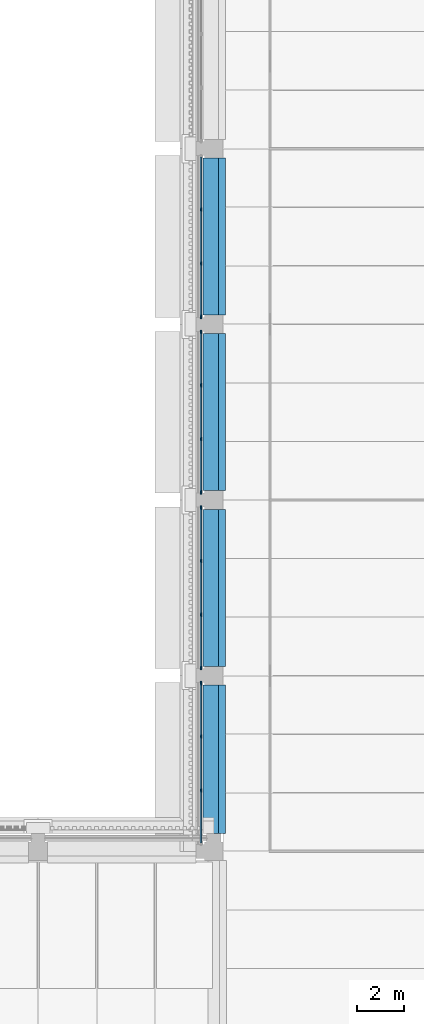
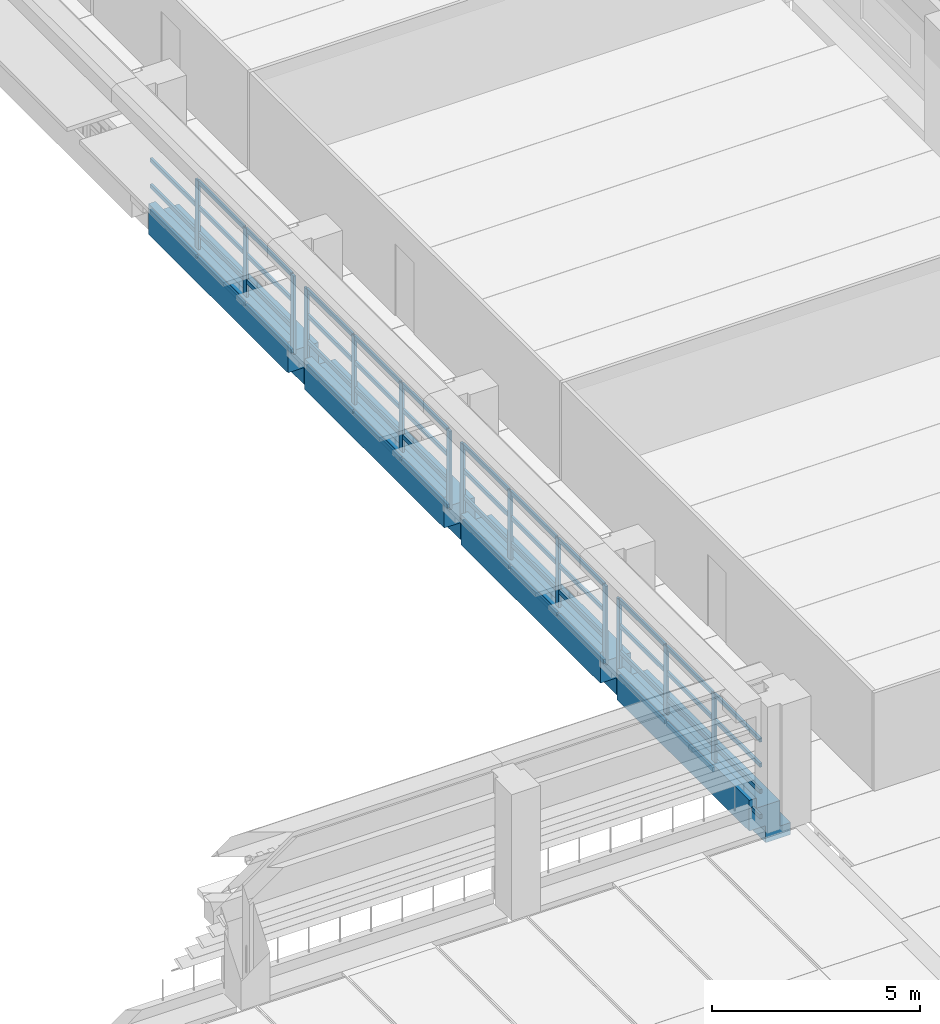
# One storey, part 18 of 71: 61 members, 4 beams, 4 elements without a shape of their own.
"""IFC4 building model written with IfcOpenShell, lengths in metres."""

from ifc_helpers import new_model, si_unit, direction, frame, origin, origin_2d, place, context, subcontext, project, spatial, polyline, rectangle, outline, extrude, material, layer, layer_set, material_profile, profile_set, type_object, element, aggregate, save


model = new_model("IFC4")

# Units and contexts
model_context = context("Model", 3, precision=1e-05, world=origin(), true_north=direction((0.0, 1.0)))
body_context = subcontext(model_context, "Body", "Model", "MODEL_VIEW")
ifc_project = project(units=[si_unit("LENGTHUNIT", "METRE"), si_unit("AREAUNIT", "SQUARE_METRE"), si_unit("VOLUMEUNIT", "CUBIC_METRE"), si_unit("PLANEANGLEUNIT", "RADIAN"), si_unit("MASSUNIT", "GRAM", prefix="KILO")], contexts=[model_context])

# Site, building, storey
site_placement = place(None, origin())
site = spatial("IfcSite", under=ifc_project, at=site_placement, CompositionType="ELEMENT")
building_placement = place(site_placement, origin())
building = spatial("IfcBuilding", under=site, at=building_placement, Name="Cour d'Honneur Mobility Palace", CompositionType="ELEMENT")
storey_placement = place(building_placement, frame((0.0, 0.0, 15.60009765625)))
storey = spatial("IfcBuildingStorey", under=building, at=storey_placement, Name="L04", CompositionType="ELEMENT", Elevation=15.60009765625)

# Curtain wall, members
ifc_material_1 = material(Name="Aluminium and glass", Category="aluminium")
ifc_layer = layer(ifc_material_1, 0.10009765625)
ifc_layer_set = layer_set([ifc_layer], Name="Aluminium and glass")
curtain_wall_type = type_object("IfcCurtainWallType", Name="Curtain wall run", PredefinedType="NOTDEFINED", material=ifc_layer_set)
curtain_wall_1_placement = place(storey_placement, origin())
curtain_wall_1 = element("IfcCurtainWall", 1, at=curtain_wall_1_placement, inside=storey, type_object=curtain_wall_type, Name="Curtain wall CW-68", PredefinedType="NOTDEFINED")
ifc_material_2 = material(Name="Aluminium", Category="aluminium")
ifc_material_profile_1 = material_profile(ifc_material_2, rectangle(XDim=0.06005859375, YDim=0.159912109375, at=origin_2d()), Name="Curtain wall mullion")
ifc_profile_set_1 = profile_set([ifc_material_profile_1], Name="Aluminium")
member_type_1 = type_object("IfcMemberType", Name="Curtain wall mullion", PredefinedType="MULLION", material=ifc_profile_set_1)
member_1_placement = place(storey_placement, frame((144.35009765625, 89.800048828125, 0.0), z_axis=(0.0, 0.0, 1.0), x_axis=(1.0, 0.0, 0.0)))
member_1 = element("IfcMember", 2, at=member_1_placement, type_object=member_type_1, Name="CW-68 mullion 2", PredefinedType="MULLION", context=body_context, shape_type="SweptSolid", body=[
    extrude(rectangle(XDim=0.06005859375, YDim=0.159912109375, at=origin_2d()), origin(), (0.0, 0.0, 1.0), 2.2998046875),
])
member_2_placement = place(storey_placement, frame((144.35009765625, 87.5, 0.0), z_axis=(0.0, 0.0, 1.0), x_axis=(1.0, 0.0, 0.0)))
member_2 = element("IfcMember", 3, at=member_2_placement, type_object=member_type_1, Name="CW-68 mullion 3", PredefinedType="MULLION", context=body_context, shape_type="SweptSolid", body=[
    extrude(rectangle(XDim=0.06005859375, YDim=0.159912109375, at=origin_2d()), origin(), (0.0, 0.0, 1.0), 2.2998046875),
])
member_3_placement = place(storey_placement, frame((144.35009765625, 85.22998046875, 0.0), z_axis=(0.0, 0.0, 1.0), x_axis=(1.0, 0.0, 0.0)))
member_3 = element("IfcMember", 4, at=member_3_placement, type_object=member_type_1, Name="CW-68 mullion 4", PredefinedType="MULLION", context=body_context, shape_type="SweptSolid", body=[
    extrude(rectangle(XDim=0.06005859375, YDim=0.159912109375, at=origin_2d()), origin(), (0.0, 0.0, 1.0), 2.2998046875),
])

curtain_wall_2_placement = place(storey_placement, origin())
curtain_wall_2 = element("IfcCurtainWall", 5, at=curtain_wall_2_placement, inside=storey, type_object=curtain_wall_type, Name="Curtain wall CW-69", PredefinedType="NOTDEFINED")
member_4_placement = place(storey_placement, frame((144.35009765625, 84.570068359375, 0.0), z_axis=(0.0, 0.0, 1.0), x_axis=(1.0, 0.0, 0.0)))
member_4 = element("IfcMember", 6, at=member_4_placement, type_object=member_type_1, Name="CW-69 mullion 1", PredefinedType="MULLION", context=body_context, shape_type="SweptSolid", body=[
    extrude(rectangle(XDim=0.06005859375, YDim=0.159912109375, at=origin_2d()), origin(), (0.0, 0.0, 1.0), 2.2998046875),
])
member_5_placement = place(storey_placement, frame((144.35009765625, 82.300048828125, 0.0), z_axis=(0.0, 0.0, 1.0), x_axis=(1.0, 0.0, 0.0)))
member_5 = element("IfcMember", 7, at=member_5_placement, type_object=member_type_1, Name="CW-69 mullion 2", PredefinedType="MULLION", context=body_context, shape_type="SweptSolid", body=[
    extrude(rectangle(XDim=0.06005859375, YDim=0.159912109375, at=origin_2d()), origin(), (0.0, 0.0, 1.0), 2.2998046875),
])
member_6_placement = place(storey_placement, frame((144.35009765625, 80.0, 0.0), z_axis=(0.0, 0.0, 1.0), x_axis=(1.0, 0.0, 0.0)))
member_6 = element("IfcMember", 8, at=member_6_placement, type_object=member_type_1, Name="CW-69 mullion 3", PredefinedType="MULLION", context=body_context, shape_type="SweptSolid", body=[
    extrude(rectangle(XDim=0.06005859375, YDim=0.159912109375, at=origin_2d()), origin(), (0.0, 0.0, 1.0), 2.2998046875),
])
member_7_placement = place(storey_placement, frame((144.35009765625, 77.72998046875, 0.0), z_axis=(0.0, 0.0, 1.0), x_axis=(1.0, 0.0, 0.0)))
member_7 = element("IfcMember", 9, at=member_7_placement, type_object=member_type_1, Name="CW-69 mullion 4", PredefinedType="MULLION", context=body_context, shape_type="SweptSolid", body=[
    extrude(rectangle(XDim=0.06005859375, YDim=0.159912109375, at=origin_2d()), origin(), (0.0, 0.0, 1.0), 2.2998046875),
])

curtain_wall_3_placement = place(storey_placement, origin())
curtain_wall_3 = element("IfcCurtainWall", 10, at=curtain_wall_3_placement, inside=storey, type_object=curtain_wall_type, Name="Curtain wall CW-70", PredefinedType="NOTDEFINED")
member_8_placement = place(storey_placement, frame((144.35009765625, 77.070068359375, 0.0), z_axis=(0.0, 0.0, 1.0), x_axis=(1.0, 0.0, 0.0)))
member_8 = element("IfcMember", 11, at=member_8_placement, type_object=member_type_1, Name="CW-70 mullion 1", PredefinedType="MULLION", context=body_context, shape_type="SweptSolid", body=[
    extrude(rectangle(XDim=0.06005859375, YDim=0.159912109375, at=origin_2d()), origin(), (0.0, 0.0, 1.0), 2.2998046875),
])
member_9_placement = place(storey_placement, frame((144.35009765625, 74.800048828125, 0.0), z_axis=(0.0, 0.0, 1.0), x_axis=(1.0, 0.0, 0.0)))
member_9 = element("IfcMember", 12, at=member_9_placement, type_object=member_type_1, Name="CW-70 mullion 2", PredefinedType="MULLION", context=body_context, shape_type="SweptSolid", body=[
    extrude(rectangle(XDim=0.06005859375, YDim=0.159912109375, at=origin_2d()), origin(), (0.0, 0.0, 1.0), 2.2998046875),
])
member_10_placement = place(storey_placement, frame((144.35009765625, 72.5, 0.0), z_axis=(0.0, 0.0, 1.0), x_axis=(1.0, 0.0, 0.0)))
member_10 = element("IfcMember", 13, at=member_10_placement, type_object=member_type_1, Name="CW-70 mullion 3", PredefinedType="MULLION", context=body_context, shape_type="SweptSolid", body=[
    extrude(rectangle(XDim=0.06005859375, YDim=0.159912109375, at=origin_2d()), origin(), (0.0, 0.0, 1.0), 2.2998046875),
])
member_11_placement = place(storey_placement, frame((144.35009765625, 70.22998046875, 0.0), z_axis=(0.0, 0.0, 1.0), x_axis=(1.0, 0.0, 0.0)))
member_11 = element("IfcMember", 14, at=member_11_placement, type_object=member_type_1, Name="CW-70 mullion 4", PredefinedType="MULLION", context=body_context, shape_type="SweptSolid", body=[
    extrude(rectangle(XDim=0.06005859375, YDim=0.159912109375, at=origin_2d()), origin(), (0.0, 0.0, 1.0), 2.2998046875),
])

curtain_wall_4_placement = place(storey_placement, origin())
curtain_wall_4 = element("IfcCurtainWall", 15, at=curtain_wall_4_placement, inside=storey, type_object=curtain_wall_type, Name="Curtain wall CW-71", PredefinedType="NOTDEFINED")
member_12_placement = place(storey_placement, frame((144.35009765625, 69.570068359375, 0.0), z_axis=(0.0, 0.0, 1.0), x_axis=(1.0, 0.0, 0.0)))
member_12 = element("IfcMember", 16, at=member_12_placement, type_object=member_type_1, Name="CW-71 mullion 1", PredefinedType="MULLION", context=body_context, shape_type="SweptSolid", body=[
    extrude(rectangle(XDim=0.06005859375, YDim=0.159912109375, at=origin_2d()), origin(), (0.0, 0.0, 1.0), 2.2998046875),
])
member_13_placement = place(storey_placement, frame((144.35009765625, 67.300048828125, 0.0), z_axis=(0.0, 0.0, 1.0), x_axis=(1.0, 0.0, 0.0)))
member_13 = element("IfcMember", 17, at=member_13_placement, type_object=member_type_1, Name="CW-71 mullion 2", PredefinedType="MULLION", context=body_context, shape_type="SweptSolid", body=[
    extrude(rectangle(XDim=0.06005859375, YDim=0.159912109375, at=origin_2d()), origin(), (0.0, 0.0, 1.0), 2.2998046875),
])
member_14_placement = place(storey_placement, frame((144.35009765625, 65.0, 0.0), z_axis=(0.0, 0.0, 1.0), x_axis=(1.0, 0.0, 0.0)))
member_14 = element("IfcMember", 18, at=member_14_placement, type_object=member_type_1, Name="CW-71 mullion 3", PredefinedType="MULLION", context=body_context, shape_type="SweptSolid", body=[
    extrude(rectangle(XDim=0.06005859375, YDim=0.159912109375, at=origin_2d()), origin(), (0.0, 0.0, 1.0), 2.2998046875),
])

# Member
ifc_material_3 = material(Name="Aluminium", Category="aluminium")
ifc_material_profile_2 = material_profile(ifc_material_3, rectangle(XDim=0.06005859375, YDim=0.1201171875, at=origin_2d()), Name="Curtain wall transom")
ifc_profile_set_2 = profile_set([ifc_material_profile_2], Name="Aluminium")
member_type_2 = type_object("IfcMemberType", Name="Curtain wall transom", PredefinedType="USERDEFINED", material=ifc_profile_set_2)
member_15_placement = place(storey_placement, frame((144.35009765625, 92.0400390625, 0.02978515625), z_axis=(0.0, -1.0, 0.0), x_axis=(1.0, 0.0, 0.0)))
member_15 = element("IfcMember", 19, at=member_15_placement, type_object=member_type_2, Name="CW-68 transom 1.1", ObjectType="TRANSOM", PredefinedType="USERDEFINED", context=body_context, shape_type="SweptSolid", body=[
    extrude(rectangle(XDim=0.06005859375, YDim=0.1201171875, at=origin_2d()), origin(), (0.0, 0.0, 1.0), 2.2099609375),
])

member_16_placement = place(storey_placement, frame((144.35009765625, 92.0400390625, 0.7666015625), z_axis=(0.0, -1.0, 0.0), x_axis=(1.0, 0.0, 0.0)))
member_16 = element("IfcMember", 20, at=member_16_placement, type_object=member_type_2, Name="CW-68 transom 1.2", ObjectType="TRANSOM", PredefinedType="USERDEFINED", context=body_context, shape_type="SweptSolid", body=[
    extrude(rectangle(XDim=0.06005859375, YDim=0.1201171875, at=origin_2d()), origin(), (0.0, 0.0, 1.0), 2.2099609375),
])

member_17_placement = place(storey_placement, frame((144.35009765625, 92.0400390625, 1.533203125), z_axis=(0.0, -1.0, 0.0), x_axis=(1.0, 0.0, 0.0)))
member_17 = element("IfcMember", 21, at=member_17_placement, type_object=member_type_2, Name="CW-68 transom 1.3", ObjectType="TRANSOM", PredefinedType="USERDEFINED", context=body_context, shape_type="SweptSolid", body=[
    extrude(rectangle(XDim=0.06005859375, YDim=0.1201171875, at=origin_2d()), origin(), (0.0, 0.0, 1.0), 2.2099609375),
])

member_18_placement = place(storey_placement, frame((144.35009765625, 89.77001953125, 0.02978515625), z_axis=(0.0, -1.0, 0.0), x_axis=(1.0, 0.0, 0.0)))
member_18 = element("IfcMember", 22, at=member_18_placement, type_object=member_type_2, Name="CW-68 transom 2.1", ObjectType="TRANSOM", PredefinedType="USERDEFINED", context=body_context, shape_type="SweptSolid", body=[
    extrude(rectangle(XDim=0.06005859375, YDim=0.1201171875, at=origin_2d()), origin(), (0.0, 0.0, 1.0), 2.239990234375),
])

member_19_placement = place(storey_placement, frame((144.35009765625, 89.77001953125, 0.7666015625), z_axis=(0.0, -1.0, 0.0), x_axis=(1.0, 0.0, 0.0)))
member_19 = element("IfcMember", 23, at=member_19_placement, type_object=member_type_2, Name="CW-68 transom 2.2", ObjectType="TRANSOM", PredefinedType="USERDEFINED", context=body_context, shape_type="SweptSolid", body=[
    extrude(rectangle(XDim=0.06005859375, YDim=0.1201171875, at=origin_2d()), origin(), (0.0, 0.0, 1.0), 2.239990234375),
])

member_20_placement = place(storey_placement, frame((144.35009765625, 89.77001953125, 1.533203125), z_axis=(0.0, -1.0, 0.0), x_axis=(1.0, 0.0, 0.0)))
member_20 = element("IfcMember", 24, at=member_20_placement, type_object=member_type_2, Name="CW-68 transom 2.3", ObjectType="TRANSOM", PredefinedType="USERDEFINED", context=body_context, shape_type="SweptSolid", body=[
    extrude(rectangle(XDim=0.06005859375, YDim=0.1201171875, at=origin_2d()), origin(), (0.0, 0.0, 1.0), 2.239990234375),
])

member_21_placement = place(storey_placement, frame((144.35009765625, 89.77001953125, 2.27001953125), z_axis=(0.0, -1.0, 0.0), x_axis=(1.0, 0.0, 0.0)))
member_21 = element("IfcMember", 25, at=member_21_placement, type_object=member_type_2, Name="CW-68 transom 2.4", ObjectType="TRANSOM", PredefinedType="USERDEFINED", context=body_context, shape_type="SweptSolid", body=[
    extrude(rectangle(XDim=0.06005859375, YDim=0.1201171875, at=origin_2d()), origin(), (0.0, 0.0, 1.0), 2.239990234375),
])

member_22_placement = place(storey_placement, frame((144.35009765625, 87.469970703125, 0.02978515625), z_axis=(0.0, -1.0, 0.0), x_axis=(1.0, 0.0, 0.0)))
member_22 = element("IfcMember", 26, at=member_22_placement, type_object=member_type_2, Name="CW-68 transom 3.1", ObjectType="TRANSOM", PredefinedType="USERDEFINED", context=body_context, shape_type="SweptSolid", body=[
    extrude(rectangle(XDim=0.06005859375, YDim=0.1201171875, at=origin_2d()), origin(), (0.0, 0.0, 1.0), 2.2099609375),
])

member_23_placement = place(storey_placement, frame((144.35009765625, 87.469970703125, 0.7666015625), z_axis=(0.0, -1.0, 0.0), x_axis=(1.0, 0.0, 0.0)))
member_23 = element("IfcMember", 27, at=member_23_placement, type_object=member_type_2, Name="CW-68 transom 3.2", ObjectType="TRANSOM", PredefinedType="USERDEFINED", context=body_context, shape_type="SweptSolid", body=[
    extrude(rectangle(XDim=0.06005859375, YDim=0.1201171875, at=origin_2d()), origin(), (0.0, 0.0, 1.0), 2.2099609375),
])

member_24_placement = place(storey_placement, frame((144.35009765625, 87.469970703125, 1.533203125), z_axis=(0.0, -1.0, 0.0), x_axis=(1.0, 0.0, 0.0)))
member_24 = element("IfcMember", 28, at=member_24_placement, type_object=member_type_2, Name="CW-68 transom 3.3", ObjectType="TRANSOM", PredefinedType="USERDEFINED", context=body_context, shape_type="SweptSolid", body=[
    extrude(rectangle(XDim=0.06005859375, YDim=0.1201171875, at=origin_2d()), origin(), (0.0, 0.0, 1.0), 2.2099609375),
])

member_25_placement = place(storey_placement, frame((144.35009765625, 87.469970703125, 2.27001953125), z_axis=(0.0, -1.0, 0.0), x_axis=(1.0, 0.0, 0.0)))
member_25 = element("IfcMember", 29, at=member_25_placement, type_object=member_type_2, Name="CW-68 transom 3.4", ObjectType="TRANSOM", PredefinedType="USERDEFINED", context=body_context, shape_type="SweptSolid", body=[
    extrude(rectangle(XDim=0.06005859375, YDim=0.1201171875, at=origin_2d()), origin(), (0.0, 0.0, 1.0), 2.2099609375),
])

aggregate(curtain_wall_1, [member_1, member_2, member_3, member_15, member_16, member_17, member_18, member_19, member_20, member_21, member_22, member_23, member_24, member_25])

member_26_placement = place(storey_placement, frame((144.35009765625, 84.5400390625, 0.02978515625), z_axis=(0.0, -1.0, 0.0), x_axis=(1.0, 0.0, 0.0)))
member_26 = element("IfcMember", 30, at=member_26_placement, type_object=member_type_2, Name="CW-69 transom 1.1", ObjectType="TRANSOM", PredefinedType="USERDEFINED", context=body_context, shape_type="SweptSolid", body=[
    extrude(rectangle(XDim=0.06005859375, YDim=0.1201171875, at=origin_2d()), origin(), (0.0, 0.0, 1.0), 2.2099609375),
])

member_27_placement = place(storey_placement, frame((144.35009765625, 84.5400390625, 0.7666015625), z_axis=(0.0, -1.0, 0.0), x_axis=(1.0, 0.0, 0.0)))
member_27 = element("IfcMember", 31, at=member_27_placement, type_object=member_type_2, Name="CW-69 transom 1.2", ObjectType="TRANSOM", PredefinedType="USERDEFINED", context=body_context, shape_type="SweptSolid", body=[
    extrude(rectangle(XDim=0.06005859375, YDim=0.1201171875, at=origin_2d()), origin(), (0.0, 0.0, 1.0), 2.2099609375),
])

member_28_placement = place(storey_placement, frame((144.35009765625, 84.5400390625, 1.533203125), z_axis=(0.0, -1.0, 0.0), x_axis=(1.0, 0.0, 0.0)))
member_28 = element("IfcMember", 32, at=member_28_placement, type_object=member_type_2, Name="CW-69 transom 1.3", ObjectType="TRANSOM", PredefinedType="USERDEFINED", context=body_context, shape_type="SweptSolid", body=[
    extrude(rectangle(XDim=0.06005859375, YDim=0.1201171875, at=origin_2d()), origin(), (0.0, 0.0, 1.0), 2.2099609375),
])

member_29_placement = place(storey_placement, frame((144.35009765625, 84.5400390625, 2.27001953125), z_axis=(0.0, -1.0, 0.0), x_axis=(1.0, 0.0, 0.0)))
member_29 = element("IfcMember", 33, at=member_29_placement, type_object=member_type_2, Name="CW-69 transom 1.4", ObjectType="TRANSOM", PredefinedType="USERDEFINED", context=body_context, shape_type="SweptSolid", body=[
    extrude(rectangle(XDim=0.06005859375, YDim=0.1201171875, at=origin_2d()), origin(), (0.0, 0.0, 1.0), 2.2099609375),
])

member_30_placement = place(storey_placement, frame((144.35009765625, 82.27001953125, 0.02978515625), z_axis=(0.0, -1.0, 0.0), x_axis=(1.0, 0.0, 0.0)))
member_30 = element("IfcMember", 34, at=member_30_placement, type_object=member_type_2, Name="CW-69 transom 2.1", ObjectType="TRANSOM", PredefinedType="USERDEFINED", context=body_context, shape_type="SweptSolid", body=[
    extrude(rectangle(XDim=0.06005859375, YDim=0.1201171875, at=origin_2d()), origin(), (0.0, 0.0, 1.0), 2.239990234375),
])

member_31_placement = place(storey_placement, frame((144.35009765625, 82.27001953125, 0.7666015625), z_axis=(0.0, -1.0, 0.0), x_axis=(1.0, 0.0, 0.0)))
member_31 = element("IfcMember", 35, at=member_31_placement, type_object=member_type_2, Name="CW-69 transom 2.2", ObjectType="TRANSOM", PredefinedType="USERDEFINED", context=body_context, shape_type="SweptSolid", body=[
    extrude(rectangle(XDim=0.06005859375, YDim=0.1201171875, at=origin_2d()), origin(), (0.0, 0.0, 1.0), 2.239990234375),
])

member_32_placement = place(storey_placement, frame((144.35009765625, 82.27001953125, 1.533203125), z_axis=(0.0, -1.0, 0.0), x_axis=(1.0, 0.0, 0.0)))
member_32 = element("IfcMember", 36, at=member_32_placement, type_object=member_type_2, Name="CW-69 transom 2.3", ObjectType="TRANSOM", PredefinedType="USERDEFINED", context=body_context, shape_type="SweptSolid", body=[
    extrude(rectangle(XDim=0.06005859375, YDim=0.1201171875, at=origin_2d()), origin(), (0.0, 0.0, 1.0), 2.239990234375),
])

member_33_placement = place(storey_placement, frame((144.35009765625, 82.27001953125, 2.27001953125), z_axis=(0.0, -1.0, 0.0), x_axis=(1.0, 0.0, 0.0)))
member_33 = element("IfcMember", 37, at=member_33_placement, type_object=member_type_2, Name="CW-69 transom 2.4", ObjectType="TRANSOM", PredefinedType="USERDEFINED", context=body_context, shape_type="SweptSolid", body=[
    extrude(rectangle(XDim=0.06005859375, YDim=0.1201171875, at=origin_2d()), origin(), (0.0, 0.0, 1.0), 2.239990234375),
])

member_34_placement = place(storey_placement, frame((144.35009765625, 79.969970703125, 0.02978515625), z_axis=(0.0, -1.0, 0.0), x_axis=(1.0, 0.0, 0.0)))
member_34 = element("IfcMember", 38, at=member_34_placement, type_object=member_type_2, Name="CW-69 transom 3.1", ObjectType="TRANSOM", PredefinedType="USERDEFINED", context=body_context, shape_type="SweptSolid", body=[
    extrude(rectangle(XDim=0.06005859375, YDim=0.1201171875, at=origin_2d()), origin(), (0.0, 0.0, 1.0), 2.2099609375),
])

member_35_placement = place(storey_placement, frame((144.35009765625, 79.969970703125, 0.7666015625), z_axis=(0.0, -1.0, 0.0), x_axis=(1.0, 0.0, 0.0)))
member_35 = element("IfcMember", 39, at=member_35_placement, type_object=member_type_2, Name="CW-69 transom 3.2", ObjectType="TRANSOM", PredefinedType="USERDEFINED", context=body_context, shape_type="SweptSolid", body=[
    extrude(rectangle(XDim=0.06005859375, YDim=0.1201171875, at=origin_2d()), origin(), (0.0, 0.0, 1.0), 2.2099609375),
])

member_36_placement = place(storey_placement, frame((144.35009765625, 79.969970703125, 1.533203125), z_axis=(0.0, -1.0, 0.0), x_axis=(1.0, 0.0, 0.0)))
member_36 = element("IfcMember", 40, at=member_36_placement, type_object=member_type_2, Name="CW-69 transom 3.3", ObjectType="TRANSOM", PredefinedType="USERDEFINED", context=body_context, shape_type="SweptSolid", body=[
    extrude(rectangle(XDim=0.06005859375, YDim=0.1201171875, at=origin_2d()), origin(), (0.0, 0.0, 1.0), 2.2099609375),
])

member_37_placement = place(storey_placement, frame((144.35009765625, 79.969970703125, 2.27001953125), z_axis=(0.0, -1.0, 0.0), x_axis=(1.0, 0.0, 0.0)))
member_37 = element("IfcMember", 41, at=member_37_placement, type_object=member_type_2, Name="CW-69 transom 3.4", ObjectType="TRANSOM", PredefinedType="USERDEFINED", context=body_context, shape_type="SweptSolid", body=[
    extrude(rectangle(XDim=0.06005859375, YDim=0.1201171875, at=origin_2d()), origin(), (0.0, 0.0, 1.0), 2.2099609375),
])

aggregate(curtain_wall_2, [member_4, member_5, member_6, member_7, member_26, member_27, member_28, member_29, member_30, member_31, member_32, member_33, member_34, member_35, member_36, member_37])

member_38_placement = place(storey_placement, frame((144.35009765625, 77.0400390625, 0.02978515625), z_axis=(0.0, -1.0, 0.0), x_axis=(1.0, 0.0, 0.0)))
member_38 = element("IfcMember", 42, at=member_38_placement, type_object=member_type_2, Name="CW-70 transom 1.1", ObjectType="TRANSOM", PredefinedType="USERDEFINED", context=body_context, shape_type="SweptSolid", body=[
    extrude(rectangle(XDim=0.06005859375, YDim=0.1201171875, at=origin_2d()), origin(), (0.0, 0.0, 1.0), 2.2099609375),
])

member_39_placement = place(storey_placement, frame((144.35009765625, 77.0400390625, 0.7666015625), z_axis=(0.0, -1.0, 0.0), x_axis=(1.0, 0.0, 0.0)))
member_39 = element("IfcMember", 43, at=member_39_placement, type_object=member_type_2, Name="CW-70 transom 1.2", ObjectType="TRANSOM", PredefinedType="USERDEFINED", context=body_context, shape_type="SweptSolid", body=[
    extrude(rectangle(XDim=0.06005859375, YDim=0.1201171875, at=origin_2d()), origin(), (0.0, 0.0, 1.0), 2.2099609375),
])

member_40_placement = place(storey_placement, frame((144.35009765625, 77.0400390625, 1.533203125), z_axis=(0.0, -1.0, 0.0), x_axis=(1.0, 0.0, 0.0)))
member_40 = element("IfcMember", 44, at=member_40_placement, type_object=member_type_2, Name="CW-70 transom 1.3", ObjectType="TRANSOM", PredefinedType="USERDEFINED", context=body_context, shape_type="SweptSolid", body=[
    extrude(rectangle(XDim=0.06005859375, YDim=0.1201171875, at=origin_2d()), origin(), (0.0, 0.0, 1.0), 2.2099609375),
])

member_41_placement = place(storey_placement, frame((144.35009765625, 77.0400390625, 2.27001953125), z_axis=(0.0, -1.0, 0.0), x_axis=(1.0, 0.0, 0.0)))
member_41 = element("IfcMember", 45, at=member_41_placement, type_object=member_type_2, Name="CW-70 transom 1.4", ObjectType="TRANSOM", PredefinedType="USERDEFINED", context=body_context, shape_type="SweptSolid", body=[
    extrude(rectangle(XDim=0.06005859375, YDim=0.1201171875, at=origin_2d()), origin(), (0.0, 0.0, 1.0), 2.2099609375),
])

member_42_placement = place(storey_placement, frame((144.35009765625, 74.77001953125, 0.02978515625), z_axis=(0.0, -1.0, 0.0), x_axis=(1.0, 0.0, 0.0)))
member_42 = element("IfcMember", 46, at=member_42_placement, type_object=member_type_2, Name="CW-70 transom 2.1", ObjectType="TRANSOM", PredefinedType="USERDEFINED", context=body_context, shape_type="SweptSolid", body=[
    extrude(rectangle(XDim=0.06005859375, YDim=0.1201171875, at=origin_2d()), origin(), (0.0, 0.0, 1.0), 2.239990234375),
])

member_43_placement = place(storey_placement, frame((144.35009765625, 74.77001953125, 0.7666015625), z_axis=(0.0, -1.0, 0.0), x_axis=(1.0, 0.0, 0.0)))
member_43 = element("IfcMember", 47, at=member_43_placement, type_object=member_type_2, Name="CW-70 transom 2.2", ObjectType="TRANSOM", PredefinedType="USERDEFINED", context=body_context, shape_type="SweptSolid", body=[
    extrude(rectangle(XDim=0.06005859375, YDim=0.1201171875, at=origin_2d()), origin(), (0.0, 0.0, 1.0), 2.239990234375),
])

member_44_placement = place(storey_placement, frame((144.35009765625, 74.77001953125, 1.533203125), z_axis=(0.0, -1.0, 0.0), x_axis=(1.0, 0.0, 0.0)))
member_44 = element("IfcMember", 48, at=member_44_placement, type_object=member_type_2, Name="CW-70 transom 2.3", ObjectType="TRANSOM", PredefinedType="USERDEFINED", context=body_context, shape_type="SweptSolid", body=[
    extrude(rectangle(XDim=0.06005859375, YDim=0.1201171875, at=origin_2d()), origin(), (0.0, 0.0, 1.0), 2.239990234375),
])

member_45_placement = place(storey_placement, frame((144.35009765625, 74.77001953125, 2.27001953125), z_axis=(0.0, -1.0, 0.0), x_axis=(1.0, 0.0, 0.0)))
member_45 = element("IfcMember", 49, at=member_45_placement, type_object=member_type_2, Name="CW-70 transom 2.4", ObjectType="TRANSOM", PredefinedType="USERDEFINED", context=body_context, shape_type="SweptSolid", body=[
    extrude(rectangle(XDim=0.06005859375, YDim=0.1201171875, at=origin_2d()), origin(), (0.0, 0.0, 1.0), 2.239990234375),
])

member_46_placement = place(storey_placement, frame((144.35009765625, 72.469970703125, 0.02978515625), z_axis=(0.0, -1.0, 0.0), x_axis=(1.0, 0.0, 0.0)))
member_46 = element("IfcMember", 50, at=member_46_placement, type_object=member_type_2, Name="CW-70 transom 3.1", ObjectType="TRANSOM", PredefinedType="USERDEFINED", context=body_context, shape_type="SweptSolid", body=[
    extrude(rectangle(XDim=0.06005859375, YDim=0.1201171875, at=origin_2d()), origin(), (0.0, 0.0, 1.0), 2.2099609375),
])

member_47_placement = place(storey_placement, frame((144.35009765625, 72.469970703125, 0.7666015625), z_axis=(0.0, -1.0, 0.0), x_axis=(1.0, 0.0, 0.0)))
member_47 = element("IfcMember", 51, at=member_47_placement, type_object=member_type_2, Name="CW-70 transom 3.2", ObjectType="TRANSOM", PredefinedType="USERDEFINED", context=body_context, shape_type="SweptSolid", body=[
    extrude(rectangle(XDim=0.06005859375, YDim=0.1201171875, at=origin_2d()), origin(), (0.0, 0.0, 1.0), 2.2099609375),
])

member_48_placement = place(storey_placement, frame((144.35009765625, 72.469970703125, 1.533203125), z_axis=(0.0, -1.0, 0.0), x_axis=(1.0, 0.0, 0.0)))
member_48 = element("IfcMember", 52, at=member_48_placement, type_object=member_type_2, Name="CW-70 transom 3.3", ObjectType="TRANSOM", PredefinedType="USERDEFINED", context=body_context, shape_type="SweptSolid", body=[
    extrude(rectangle(XDim=0.06005859375, YDim=0.1201171875, at=origin_2d()), origin(), (0.0, 0.0, 1.0), 2.2099609375),
])

member_49_placement = place(storey_placement, frame((144.35009765625, 72.469970703125, 2.27001953125), z_axis=(0.0, -1.0, 0.0), x_axis=(1.0, 0.0, 0.0)))
member_49 = element("IfcMember", 53, at=member_49_placement, type_object=member_type_2, Name="CW-70 transom 3.4", ObjectType="TRANSOM", PredefinedType="USERDEFINED", context=body_context, shape_type="SweptSolid", body=[
    extrude(rectangle(XDim=0.06005859375, YDim=0.1201171875, at=origin_2d()), origin(), (0.0, 0.0, 1.0), 2.2099609375),
])

aggregate(curtain_wall_3, [member_8, member_9, member_10, member_11, member_38, member_39, member_40, member_41, member_42, member_43, member_44, member_45, member_46, member_47, member_48, member_49])

member_50_placement = place(storey_placement, frame((144.35009765625, 69.5400390625, 0.02978515625), z_axis=(0.0, -1.0, 0.0), x_axis=(1.0, 0.0, 0.0)))
member_50 = element("IfcMember", 54, at=member_50_placement, type_object=member_type_2, Name="CW-71 transom 1.1", ObjectType="TRANSOM", PredefinedType="USERDEFINED", context=body_context, shape_type="SweptSolid", body=[
    extrude(rectangle(XDim=0.06005859375, YDim=0.1201171875, at=origin_2d()), origin(), (0.0, 0.0, 1.0), 2.2099609375),
])

member_51_placement = place(storey_placement, frame((144.35009765625, 69.5400390625, 0.7666015625), z_axis=(0.0, -1.0, 0.0), x_axis=(1.0, 0.0, 0.0)))
member_51 = element("IfcMember", 55, at=member_51_placement, type_object=member_type_2, Name="CW-71 transom 1.2", ObjectType="TRANSOM", PredefinedType="USERDEFINED", context=body_context, shape_type="SweptSolid", body=[
    extrude(rectangle(XDim=0.06005859375, YDim=0.1201171875, at=origin_2d()), origin(), (0.0, 0.0, 1.0), 2.2099609375),
])

member_52_placement = place(storey_placement, frame((144.35009765625, 69.5400390625, 1.533203125), z_axis=(0.0, -1.0, 0.0), x_axis=(1.0, 0.0, 0.0)))
member_52 = element("IfcMember", 56, at=member_52_placement, type_object=member_type_2, Name="CW-71 transom 1.3", ObjectType="TRANSOM", PredefinedType="USERDEFINED", context=body_context, shape_type="SweptSolid", body=[
    extrude(rectangle(XDim=0.06005859375, YDim=0.1201171875, at=origin_2d()), origin(), (0.0, 0.0, 1.0), 2.2099609375),
])

member_53_placement = place(storey_placement, frame((144.35009765625, 69.5400390625, 2.27001953125), z_axis=(0.0, -1.0, 0.0), x_axis=(1.0, 0.0, 0.0)))
member_53 = element("IfcMember", 57, at=member_53_placement, type_object=member_type_2, Name="CW-71 transom 1.4", ObjectType="TRANSOM", PredefinedType="USERDEFINED", context=body_context, shape_type="SweptSolid", body=[
    extrude(rectangle(XDim=0.06005859375, YDim=0.1201171875, at=origin_2d()), origin(), (0.0, 0.0, 1.0), 2.2099609375),
])

member_54_placement = place(storey_placement, frame((144.35009765625, 67.27001953125, 0.02978515625), z_axis=(0.0, -1.0, 0.0), x_axis=(1.0, 0.0, 0.0)))
member_54 = element("IfcMember", 58, at=member_54_placement, type_object=member_type_2, Name="CW-71 transom 2.1", ObjectType="TRANSOM", PredefinedType="USERDEFINED", context=body_context, shape_type="SweptSolid", body=[
    extrude(rectangle(XDim=0.06005859375, YDim=0.1201171875, at=origin_2d()), origin(), (0.0, 0.0, 1.0), 2.239990234375),
])

member_55_placement = place(storey_placement, frame((144.35009765625, 67.27001953125, 0.7666015625), z_axis=(0.0, -1.0, 0.0), x_axis=(1.0, 0.0, 0.0)))
member_55 = element("IfcMember", 59, at=member_55_placement, type_object=member_type_2, Name="CW-71 transom 2.2", ObjectType="TRANSOM", PredefinedType="USERDEFINED", context=body_context, shape_type="SweptSolid", body=[
    extrude(rectangle(XDim=0.06005859375, YDim=0.1201171875, at=origin_2d()), origin(), (0.0, 0.0, 1.0), 2.239990234375),
])

member_56_placement = place(storey_placement, frame((144.35009765625, 67.27001953125, 1.533203125), z_axis=(0.0, -1.0, 0.0), x_axis=(1.0, 0.0, 0.0)))
member_56 = element("IfcMember", 60, at=member_56_placement, type_object=member_type_2, Name="CW-71 transom 2.3", ObjectType="TRANSOM", PredefinedType="USERDEFINED", context=body_context, shape_type="SweptSolid", body=[
    extrude(rectangle(XDim=0.06005859375, YDim=0.1201171875, at=origin_2d()), origin(), (0.0, 0.0, 1.0), 2.239990234375),
])

member_57_placement = place(storey_placement, frame((144.35009765625, 67.27001953125, 2.27001953125), z_axis=(0.0, -1.0, 0.0), x_axis=(1.0, 0.0, 0.0)))
member_57 = element("IfcMember", 61, at=member_57_placement, type_object=member_type_2, Name="CW-71 transom 2.4", ObjectType="TRANSOM", PredefinedType="USERDEFINED", context=body_context, shape_type="SweptSolid", body=[
    extrude(rectangle(XDim=0.06005859375, YDim=0.1201171875, at=origin_2d()), origin(), (0.0, 0.0, 1.0), 2.239990234375),
])

member_58_placement = place(storey_placement, frame((144.35009765625, 64.969970703125, 0.02978515625), z_axis=(0.0, -1.0, 0.0), x_axis=(1.0, 0.0, 0.0)))
member_58 = element("IfcMember", 62, at=member_58_placement, type_object=member_type_2, Name="CW-71 transom 3.1", ObjectType="TRANSOM", PredefinedType="USERDEFINED", context=body_context, shape_type="SweptSolid", body=[
    extrude(rectangle(XDim=0.06005859375, YDim=0.1201171875, at=origin_2d()), origin(), (0.0, 0.0, 1.0), 2.2099609375),
])

member_59_placement = place(storey_placement, frame((144.35009765625, 64.969970703125, 0.7666015625), z_axis=(0.0, -1.0, 0.0), x_axis=(1.0, 0.0, 0.0)))
member_59 = element("IfcMember", 63, at=member_59_placement, type_object=member_type_2, Name="CW-71 transom 3.2", ObjectType="TRANSOM", PredefinedType="USERDEFINED", context=body_context, shape_type="SweptSolid", body=[
    extrude(rectangle(XDim=0.06005859375, YDim=0.1201171875, at=origin_2d()), origin(), (0.0, 0.0, 1.0), 2.2099609375),
])

member_60_placement = place(storey_placement, frame((144.35009765625, 64.969970703125, 1.533203125), z_axis=(0.0, -1.0, 0.0), x_axis=(1.0, 0.0, 0.0)))
member_60 = element("IfcMember", 64, at=member_60_placement, type_object=member_type_2, Name="CW-71 transom 3.3", ObjectType="TRANSOM", PredefinedType="USERDEFINED", context=body_context, shape_type="SweptSolid", body=[
    extrude(rectangle(XDim=0.06005859375, YDim=0.1201171875, at=origin_2d()), origin(), (0.0, 0.0, 1.0), 2.2099609375),
])

member_61_placement = place(storey_placement, frame((144.35009765625, 64.969970703125, 2.27001953125), z_axis=(0.0, -1.0, 0.0), x_axis=(1.0, 0.0, 0.0)))
member_61 = element("IfcMember", 65, at=member_61_placement, type_object=member_type_2, Name="CW-71 transom 3.4", ObjectType="TRANSOM", PredefinedType="USERDEFINED", context=body_context, shape_type="SweptSolid", body=[
    extrude(rectangle(XDim=0.06005859375, YDim=0.1201171875, at=origin_2d()), origin(), (0.0, 0.0, 1.0), 2.2099609375),
])

aggregate(curtain_wall_4, [member_12, member_13, member_14, member_50, member_51, member_52, member_53, member_54, member_55, member_56, member_57, member_58, member_59, member_60, member_61])

# Beams
ifc_material_4 = material(Name="Concrete C45", Category="concrete")
ifc_material_profile_3 = material_profile(ifc_material_4, outline(polyline([(0.199951171875, -1.10009765625), (0.199951171875, -0.60009765625), (0.64990234375, -0.60009765625), (0.64990234375, 0.300048828125), (0.449951171875, 0.300048828125), (0.449951171875, 0.0), (0.199951171875, 0.0), (-0.199951171875, 0.0), (-0.199951171875, -0.75), (-0.5, -0.75), (-0.5, -1.10009765625), (0.199951171875, -1.10009765625)])), Name="Ledger Beam 400x1100 ledge right 350 facade left")
ifc_profile_set_3 = profile_set([ifc_material_profile_3], Name="Concrete C45")
beam_type = type_object("IfcBeamType", Name="Ledger Beam 400x1100 ledge right 350 facade left", PredefinedType="BEAM", material=ifc_profile_set_3)
beam_placement = place(storey_placement, frame((144.89990234375, 63.14990234375, 0.0), z_axis=(0.0, 1.0, 0.0), x_axis=(-1.0, 0.0, 0.0)))
element("IfcBeam", 66, at=beam_placement, inside=storey, type_object=beam_type, Name="Precast beam B4 H-J L04", PredefinedType="BEAM", context=body_context, shape_type="SweptSolid", body=[
    extrude(outline(polyline([(0.199951171875, -1.10009765625), (0.199951171875, -0.60009765625), (0.64990234375, -0.60009765625), (0.64990234375, 0.300048828125), (0.449951171875, 0.300048828125), (0.449951171875, 0.0), (0.199951171875, 0.0), (-0.199951171875, 0.0), (-0.199951171875, -0.75), (-0.5, -0.75), (-0.5, -1.10009765625), (0.199951171875, -1.10009765625)])), origin(), (0.0, 0.0, 1.0), 6.35009765625),
])
for number, where, z_axis, x_axis, name in (
    (67, (144.89990234375, 70.300048828125, 0.0), (0.0, 1.0, 0.0), (-1.0, 0.0, 0.0), "Precast beam B4 J-K L04"),
    (68, (144.89990234375, 77.800048828125, 0.0), (0.0, 1.0, 0.0), (-1.0, 0.0, 0.0), "Precast beam B4 K-L L04"),
    (69, (144.89990234375, 85.300048828125, 0.0), (0.0, 1.0, 0.0), (-1.0, 0.0, 0.0), "Precast beam B4 L-M L04"),
):
    element("IfcBeam", number, at=place(storey_placement, frame(where, z_axis=z_axis, x_axis=x_axis)), inside=storey, type_object=beam_type, Name=name, PredefinedType="BEAM", context=body_context, shape_type="SweptSolid", body=[
        extrude(outline(polyline([(0.199951171875, -1.10009765625), (0.199951171875, -0.60009765625), (0.64990234375, -0.60009765625), (0.64990234375, 0.300048828125), (0.449951171875, 0.300048828125), (0.449951171875, 0.0), (0.199951171875, 0.0), (-0.199951171875, 0.0), (-0.199951171875, -0.75), (-0.5, -0.75), (-0.5, -1.10009765625), (0.199951171875, -1.10009765625)])), origin(), (0.0, 0.0, 1.0), 6.699951171875),
    ])

save(model, "model.ifc")
